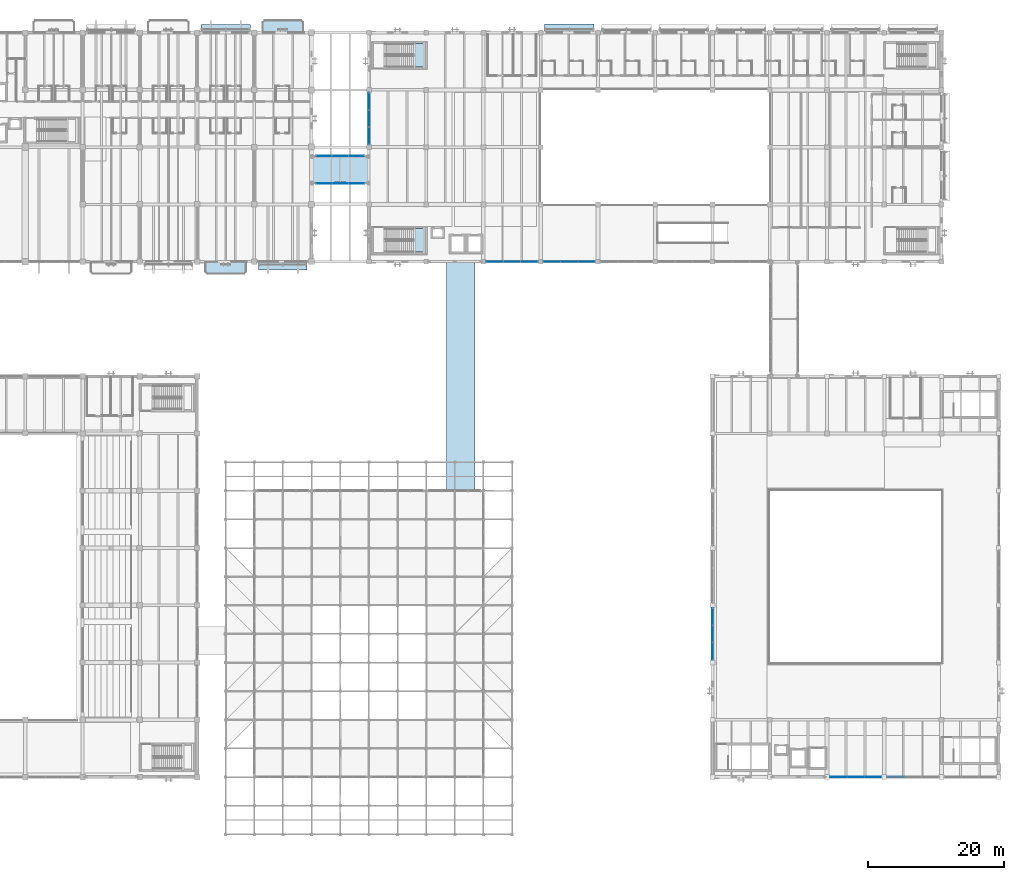
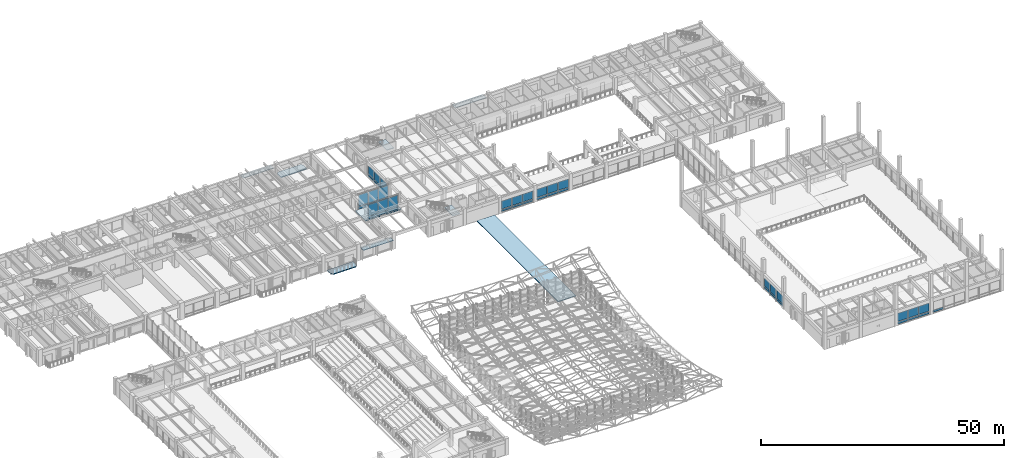
# One storey, part 67 of 132: 46 plates, 6 slabs, 13 elements without a shape of their own.
"""IFC4 building model written with IfcOpenShell, lengths in metres."""

from ifc_helpers import new_model, si_unit, direction, frame, origin, origin_2d, place, context, subcontext, project, spatial, polyline, rectangle, outline, extrude, material, layer, layer_set, type_object, element, aggregate, save


model = new_model("IFC4")

# Units and contexts
model_context = context("Model", 3, precision=1e-05, world=origin(), true_north=direction((0.0, 1.0)))
body_context = subcontext(model_context, "Body", "Model", "MODEL_VIEW")
ifc_project = project(units=[si_unit("LENGTHUNIT", "METRE"), si_unit("AREAUNIT", "SQUARE_METRE"), si_unit("VOLUMEUNIT", "CUBIC_METRE"), si_unit("PLANEANGLEUNIT", "RADIAN"), si_unit("MASSUNIT", "GRAM", prefix="KILO")], contexts=[model_context])

# Site, building, storey
site_placement = place(None, origin())
site = spatial("IfcSite", under=ifc_project, at=site_placement, CompositionType="ELEMENT")
building_placement = place(site_placement, origin())
building = spatial("IfcBuilding", under=site, at=building_placement, Name="Cumbredor Promenade Congress Hotel", CompositionType="ELEMENT")
storey_placement = place(building_placement, frame((0.0, 0.0, 7.56005859375)))
storey = spatial("IfcBuildingStorey", under=building, at=storey_placement, Name="L02", CompositionType="ELEMENT", Elevation=7.56005859375)

# Slabs
ifc_material_1 = material(Name="Concrete C40/50", Category="concrete")
ifc_layer_1 = layer(ifc_material_1, 0.215087890625, Name="Concrete C40/50", Category="concrete")
ifc_layer_set_1 = layer_set([ifc_layer_1], Name="Concrete C40/50")
slab_type_1 = type_object("IfcSlabType", Name="Cantilevered Guestroom Balcony Slab 215mm", PredefinedType="FLOOR", material=ifc_layer_set_1)
slab_1_placement = place(storey_placement, frame((0.0, 0.0, -0.215087890625)))
element("IfcSlab", 1, at=slab_1_placement, inside=storey, type_object=slab_type_1, Name="L02 Cantilevered Guestroom Veranda Balcony 008", PredefinedType="FLOOR", context=body_context, shape_type="SweptSolid", body=[
    extrude(outline(polyline([(76.75, 117.60009765625), (82.85009765625, 117.60009765625), (82.85009765625, 119.10009765625), (82.5, 119.449951171875), (77.10009765625, 119.449951171875), (76.75, 119.10009765625), (76.75, 117.60009765625)])), origin(), (0.0, 0.0, 1.0), 0.215087890625),
])
slab_2_placement = place(storey_placement, frame((0.0, 0.0, -0.215087890625)))
element("IfcSlab", 2, at=slab_2_placement, inside=storey, type_object=slab_type_1, Name="L02 Cantilevered Guestroom Veranda Balcony 011", PredefinedType="FLOOR", context=body_context, shape_type="SweptSolid", body=[
    extrude(outline(polyline([(68.699951171875, 82.14990234375), (74.10009765625, 82.14990234375), (74.449951171875, 82.5), (74.449951171875, 84.0), (68.35009765625, 84.0), (68.35009765625, 82.5), (68.699951171875, 82.14990234375)])), origin(), (0.0, 0.0, 1.0), 0.215087890625),
])

# Stair, slab
stair_type = type_object("IfcStairType", Name="Protected Dog-Leg Exit Stair ST-T3 1650mm", PredefinedType="HALF_TURN_STAIR", material=ifc_material_1)
stair_1_placement = place(storey_placement, origin())
stair_1 = element("IfcStair", 3, at=stair_1_placement, inside=storey, type_object=stair_type, Name="L02 Protected Exit Stair ST-13", PredefinedType="HALF_TURN_STAIR")
ifc_layer_2 = layer(ifc_material_1, 0.199951171875, Name="Concrete C40/50", Category="concrete")
ifc_layer_set_2 = layer_set([ifc_layer_2], Name="Concrete C40/50")
slab_type_2 = type_object("IfcSlabType", Name="Concrete Stair Landing Slab 200mm", PredefinedType="LANDING", material=ifc_layer_set_2)
slab_3_placement = place(storey_placement, frame((0.0, 0.0, 1.89990234375)))
slab_3 = element("IfcSlab", 4, at=slab_3_placement, type_object=slab_type_2, Name="ST-13 landing 1", PredefinedType="LANDING", context=body_context, shape_type="SweptSolid", body=[
    extrude(outline(polyline([(98.949951171875, 85.39990234375), (100.64990234375, 85.39990234375), (100.64990234375, 88.85009765625), (98.949951171875, 88.85009765625), (98.949951171875, 85.39990234375)])), origin(), (0.0, 0.0, 1.0), 0.199951171875),
])
aggregate(stair_1, [slab_3])

stair_2_placement = place(storey_placement, origin())
stair_2 = element("IfcStair", 5, at=stair_2_placement, inside=storey, type_object=stair_type, Name="L02 Protected Exit Stair ST-15", PredefinedType="HALF_TURN_STAIR")
slab_4_placement = place(storey_placement, frame((0.0, 0.0, 1.89990234375)))
slab_4 = element("IfcSlab", 6, at=slab_4_placement, type_object=slab_type_2, Name="ST-15 landing 1", PredefinedType="LANDING", context=body_context, shape_type="SweptSolid", body=[
    extrude(outline(polyline([(98.949951171875, 112.550048828125), (100.64990234375, 112.550048828125), (100.64990234375, 116.0), (98.949951171875, 116.0), (98.949951171875, 112.550048828125)])), origin(), (0.0, 0.0, 1.0), 0.199951171875),
])
aggregate(stair_2, [slab_4])

# Curtain wall, plates
ifc_material_2 = material(Name="Thermally broken anodized aluminium and low-E glass", Category="aluminium")
curtain_wall_type_1 = type_object("IfcCurtainWallType", Name="Unitised Bridge Glazing Screen CW-05", PredefinedType="NOTDEFINED", material=ifc_material_2)
curtain_wall_1_placement = place(storey_placement, origin())
curtain_wall_1 = element("IfcCurtainWall", 7, at=curtain_wall_1_placement, inside=storey, type_object=curtain_wall_type_1, Name="L02 North Hotel-to-Forum Glazed Bridge South Glazing Screen", PredefinedType="NOTDEFINED")
ifc_material_3 = material(Name="Laminated low-E solar-control glass", Category="glass")
ifc_layer_3 = layer(ifc_material_3, 0.030029296875, Name="Laminated low-E solar-control glass", Category="glass")
ifc_layer_set_3 = layer_set([ifc_layer_3], Name="Laminated low-E solar-control glass")
plate_type_1 = type_object("IfcPlateType", Name="Glazed Bridge Panel PNL-04", PredefinedType="CURTAIN_PANEL", material=ifc_layer_set_3)
plate_1_placement = place(storey_placement, frame((85.840087890625, 95.47998046875, 0.78515625), z_axis=(0.0, 0.0, 1.0), x_axis=(1.0, 0.0, 0.0)))
plate_1 = element("IfcPlate", 8, at=plate_1_placement, type_object=plate_type_1, Name="L02 North Hotel-to-Forum Glazed Bridge South Glazing Screen Glazing Panel 1.2", PredefinedType="CURTAIN_PANEL", context=body_context, shape_type="SweptSolid", body=[
    extrude(rectangle(XDim=2.294921875, YDim=0.030029296875, at=origin_2d()), origin(), (0.0, 0.0, 1.0), 2.909912109375),
])
plate_2_placement = place(storey_placement, frame((88.199951171875, 95.47998046875, 0.78515625), z_axis=(0.0, 0.0, 1.0), x_axis=(1.0, 0.0, 0.0)))
plate_2 = element("IfcPlate", 9, at=plate_2_placement, type_object=plate_type_1, Name="L02 North Hotel-to-Forum Glazed Bridge South Glazing Screen Glazing Panel 2.2", PredefinedType="CURTAIN_PANEL", context=body_context, shape_type="SweptSolid", body=[
    extrude(rectangle(XDim=2.294921875, YDim=0.030029296875, at=origin_2d()), origin(), (0.0, 0.0, 1.0), 2.909912109375),
])
plate_3_placement = place(storey_placement, frame((90.56005859375, 95.47998046875, 0.78515625), z_axis=(0.0, 0.0, 1.0), x_axis=(1.0, 0.0, 0.0)))
plate_3 = element("IfcPlate", 10, at=plate_3_placement, type_object=plate_type_1, Name="L02 North Hotel-to-Forum Glazed Bridge South Glazing Screen Glazing Panel 3.2", PredefinedType="CURTAIN_PANEL", context=body_context, shape_type="SweptSolid", body=[
    extrude(rectangle(XDim=2.294921875, YDim=0.030029296875, at=origin_2d()), origin(), (0.0, 0.0, 1.0), 2.909912109375),
])

curtain_wall_2_placement = place(storey_placement, origin())
curtain_wall_2 = element("IfcCurtainWall", 11, at=curtain_wall_2_placement, inside=storey, type_object=curtain_wall_type_1, Name="L02 North Hotel-to-Forum Glazed Bridge North Glazing Screen", PredefinedType="NOTDEFINED")
plate_4_placement = place(storey_placement, frame((85.840087890625, 99.52001953125, 0.78515625), z_axis=(0.0, 0.0, 1.0), x_axis=(1.0, 0.0, 0.0)))
plate_4 = element("IfcPlate", 12, at=plate_4_placement, type_object=plate_type_1, Name="L02 North Hotel-to-Forum Glazed Bridge North Glazing Screen Glazing Panel 1.2", PredefinedType="CURTAIN_PANEL", context=body_context, shape_type="SweptSolid", body=[
    extrude(rectangle(XDim=2.294921875, YDim=0.030029296875, at=origin_2d()), origin(), (0.0, 0.0, 1.0), 2.909912109375),
])
plate_5_placement = place(storey_placement, frame((88.199951171875, 99.52001953125, 0.78515625), z_axis=(0.0, 0.0, 1.0), x_axis=(1.0, 0.0, 0.0)))
plate_5 = element("IfcPlate", 13, at=plate_5_placement, type_object=plate_type_1, Name="L02 North Hotel-to-Forum Glazed Bridge North Glazing Screen Glazing Panel 2.2", PredefinedType="CURTAIN_PANEL", context=body_context, shape_type="SweptSolid", body=[
    extrude(rectangle(XDim=2.294921875, YDim=0.030029296875, at=origin_2d()), origin(), (0.0, 0.0, 1.0), 2.909912109375),
])
plate_6_placement = place(storey_placement, frame((90.56005859375, 99.52001953125, 0.78515625), z_axis=(0.0, 0.0, 1.0), x_axis=(1.0, 0.0, 0.0)))
plate_6 = element("IfcPlate", 14, at=plate_6_placement, type_object=plate_type_1, Name="L02 North Hotel-to-Forum Glazed Bridge North Glazing Screen Glazing Panel 3.2", PredefinedType="CURTAIN_PANEL", context=body_context, shape_type="SweptSolid", body=[
    extrude(rectangle(XDim=2.294921875, YDim=0.030029296875, at=origin_2d()), origin(), (0.0, 0.0, 1.0), 2.909912109375),
])

curtain_wall_type_2 = type_object("IfcCurtainWallType", Name="Unitised Bronze Curtain Wall CW-01", PredefinedType="NOTDEFINED", material=ifc_material_2)
curtain_wall_3_placement = place(storey_placement, origin())
curtain_wall_3 = element("IfcCurtainWall", 15, at=curtain_wall_3_placement, inside=storey, type_object=curtain_wall_type_2, Name="L02 Grand Ballroom Pavilion South Curtain Wall 3", PredefinedType="NOTDEFINED")
ifc_layer_4 = layer(ifc_material_3, 0.028076171875, Name="Laminated low-E solar-control glass", Category="glass")
ifc_layer_set_4 = layer_set([ifc_layer_4], Name="Laminated low-E solar-control glass")
plate_type_2 = type_object("IfcPlateType", Name="Glazed Vision Panel PNL-01", PredefinedType="CURTAIN_PANEL", material=ifc_layer_set_4)
plate_7_placement = place(storey_placement, frame((161.27001953125, 8.39990234375, 0.78466796875), z_axis=(0.0, 0.0, 1.0), x_axis=(1.0, 0.0, 0.0)))
plate_7 = element("IfcPlate", 16, at=plate_7_placement, type_object=plate_type_2, Name="L02 Grand Ballroom Pavilion South Curtain Wall 3 Glazing Panel 1.2", PredefinedType="CURTAIN_PANEL", context=body_context, shape_type="SweptSolid", body=[
    extrude(rectangle(XDim=2.465087890625, YDim=0.028076171875, at=origin_2d()), origin(), (0.0, 0.0, 1.0), 2.070068359375),
])
plate_8_placement = place(storey_placement, frame((163.800048828125, 8.39990234375, 0.78466796875), z_axis=(0.0, 0.0, 1.0), x_axis=(1.0, 0.0, 0.0)))
plate_8 = element("IfcPlate", 17, at=plate_8_placement, type_object=plate_type_2, Name="L02 Grand Ballroom Pavilion South Curtain Wall 3 Glazing Panel 2.2", PredefinedType="CURTAIN_PANEL", context=body_context, shape_type="SweptSolid", body=[
    extrude(rectangle(XDim=2.465087890625, YDim=0.028076171875, at=origin_2d()), origin(), (0.0, 0.0, 1.0), 2.070068359375),
])
plate_9_placement = place(storey_placement, frame((166.330078125, 8.39990234375, 0.78466796875), z_axis=(0.0, 0.0, 1.0), x_axis=(1.0, 0.0, 0.0)))
plate_9 = element("IfcPlate", 18, at=plate_9_placement, type_object=plate_type_2, Name="L02 Grand Ballroom Pavilion South Curtain Wall 3 Glazing Panel 3.2", PredefinedType="CURTAIN_PANEL", context=body_context, shape_type="SweptSolid", body=[
    extrude(rectangle(XDim=2.465087890625, YDim=0.028076171875, at=origin_2d()), origin(), (0.0, 0.0, 1.0), 2.070068359375),
])

curtain_wall_4_placement = place(storey_placement, origin())
curtain_wall_4 = element("IfcCurtainWall", 19, at=curtain_wall_4_placement, inside=storey, type_object=curtain_wall_type_2, Name="L02 Grand Ballroom Pavilion West Curtain Wall 3", PredefinedType="NOTDEFINED")
plate_10_placement = place(storey_placement, frame((142.800048828125, 26.8701171875, 0.784912109375), z_axis=(0.0, 0.0, 1.0), x_axis=(0.0, 1.0, 0.0)))
plate_10 = element("IfcPlate", 20, at=plate_10_placement, type_object=plate_type_2, Name="L02 Grand Ballroom Pavilion West Curtain Wall 3 Glazing Panel 1.2", PredefinedType="CURTAIN_PANEL", context=body_context, shape_type="SweptSolid", body=[
    extrude(rectangle(XDim=2.465087890625, YDim=0.028076171875, at=origin_2d()), origin(), (0.0, 0.0, 1.0), 2.02001953125),
])
plate_11_placement = place(storey_placement, frame((142.800048828125, 29.39990234375, 0.784912109375), z_axis=(0.0, 0.0, 1.0), x_axis=(0.0, 1.0, 0.0)))
plate_11 = element("IfcPlate", 21, at=plate_11_placement, type_object=plate_type_2, Name="L02 Grand Ballroom Pavilion West Curtain Wall 3 Glazing Panel 2.2", PredefinedType="CURTAIN_PANEL", context=body_context, shape_type="SweptSolid", body=[
    extrude(rectangle(XDim=2.465087890625, YDim=0.028076171875, at=origin_2d()), origin(), (0.0, 0.0, 1.0), 2.02001953125),
])
plate_12_placement = place(storey_placement, frame((142.800048828125, 31.929931640625, 0.784912109375), z_axis=(0.0, 0.0, 1.0), x_axis=(0.0, 1.0, 0.0)))
plate_12 = element("IfcPlate", 22, at=plate_12_placement, type_object=plate_type_2, Name="L02 Grand Ballroom Pavilion West Curtain Wall 3 Glazing Panel 3.2", PredefinedType="CURTAIN_PANEL", context=body_context, shape_type="SweptSolid", body=[
    extrude(rectangle(XDim=2.465087890625, YDim=0.028076171875, at=origin_2d()), origin(), (0.0, 0.0, 1.0), 2.02001953125),
])

curtain_wall_type_3 = type_object("IfcCurtainWallType", Name="Unitised Forum Curtain Wall CW-02", PredefinedType="NOTDEFINED", material=ifc_material_2)
curtain_wall_5_placement = place(storey_placement, origin())
curtain_wall_5 = element("IfcCurtainWall", 23, at=curtain_wall_5_placement, inside=storey, type_object=curtain_wall_type_3, Name="L02 Pre-Function and Breakout Meeting Forum South Curtain Wall 4", PredefinedType="NOTDEFINED")
plate_13_placement = place(storey_placement, frame((119.27001953125, 84.0, 0.78466796875), z_axis=(0.0, 0.0, 1.0), x_axis=(1.0, 0.0, 0.0)))
plate_13 = element("IfcPlate", 24, at=plate_13_placement, type_object=plate_type_2, Name="L02 Pre-Function and Breakout Meeting Forum South Curtain Wall 4 Glazing Panel 1.2", PredefinedType="CURTAIN_PANEL", context=body_context, shape_type="SweptSolid", body=[
    extrude(rectangle(XDim=2.465087890625, YDim=0.028076171875, at=origin_2d()), origin(), (0.0, 0.0, 1.0), 2.070068359375),
])
plate_14_placement = place(storey_placement, frame((121.800048828125, 84.0, 0.78466796875), z_axis=(0.0, 0.0, 1.0), x_axis=(1.0, 0.0, 0.0)))
plate_14 = element("IfcPlate", 25, at=plate_14_placement, type_object=plate_type_2, Name="L02 Pre-Function and Breakout Meeting Forum South Curtain Wall 4 Glazing Panel 2.2", PredefinedType="CURTAIN_PANEL", context=body_context, shape_type="SweptSolid", body=[
    extrude(rectangle(XDim=2.465087890625, YDim=0.028076171875, at=origin_2d()), origin(), (0.0, 0.0, 1.0), 2.070068359375),
])
plate_15_placement = place(storey_placement, frame((124.330078125, 84.0, 0.78466796875), z_axis=(0.0, 0.0, 1.0), x_axis=(1.0, 0.0, 0.0)))
plate_15 = element("IfcPlate", 26, at=plate_15_placement, type_object=plate_type_2, Name="L02 Pre-Function and Breakout Meeting Forum South Curtain Wall 4 Glazing Panel 3.2", PredefinedType="CURTAIN_PANEL", context=body_context, shape_type="SweptSolid", body=[
    extrude(rectangle(XDim=2.465087890625, YDim=0.028076171875, at=origin_2d()), origin(), (0.0, 0.0, 1.0), 2.070068359375),
])

curtain_wall_6_placement = place(storey_placement, origin())
curtain_wall_6 = element("IfcCurtainWall", 27, at=curtain_wall_6_placement, inside=storey, type_object=curtain_wall_type_3, Name="L02 Pre-Function and Breakout Meeting Forum West Curtain Wall 3", PredefinedType="NOTDEFINED")
ifc_layer_5 = layer(ifc_material_3, 0.031982421875, Name="Laminated low-E solar-control glass", Category="glass")
ifc_layer_set_5 = layer_set([ifc_layer_5], Name="Laminated low-E solar-control glass")
plate_type_3 = type_object("IfcPlateType", Name="Glazed Vision Panel PNL-02", PredefinedType="CURTAIN_PANEL", material=ifc_layer_set_5)
plate_16_placement = place(storey_placement, frame((92.39990234375, 102.469970703125, 0.794921875), z_axis=(0.0, 0.0, 1.0), x_axis=(0.0, 1.0, 0.0)))
plate_16 = element("IfcPlate", 28, at=plate_16_placement, type_object=plate_type_3, Name="L02 Pre-Function and Breakout Meeting Forum West Curtain Wall 3 Glazing Panel 1.2", PredefinedType="CURTAIN_PANEL", context=body_context, shape_type="SweptSolid", body=[
    extrude(rectangle(XDim=2.455078125, YDim=0.031982421875, at=origin_2d()), origin(), (0.0, 0.0, 1.0), 1.989990234375),
])
plate_17_placement = place(storey_placement, frame((92.39990234375, 105.0, 0.794921875), z_axis=(0.0, 0.0, 1.0), x_axis=(0.0, 1.0, 0.0)))
plate_17 = element("IfcPlate", 29, at=plate_17_placement, type_object=plate_type_3, Name="L02 Pre-Function and Breakout Meeting Forum West Curtain Wall 3 Glazing Panel 2.2", PredefinedType="CURTAIN_PANEL", context=body_context, shape_type="SweptSolid", body=[
    extrude(rectangle(XDim=2.455078125, YDim=0.031982421875, at=origin_2d()), origin(), (0.0, 0.0, 1.0), 1.989990234375),
])
plate_18_placement = place(storey_placement, frame((92.39990234375, 107.530029296875, 0.794921875), z_axis=(0.0, 0.0, 1.0), x_axis=(0.0, 1.0, 0.0)))
plate_18 = element("IfcPlate", 30, at=plate_18_placement, type_object=plate_type_3, Name="L02 Pre-Function and Breakout Meeting Forum West Curtain Wall 3 Glazing Panel 3.2", PredefinedType="CURTAIN_PANEL", context=body_context, shape_type="SweptSolid", body=[
    extrude(rectangle(XDim=2.455078125, YDim=0.031982421875, at=origin_2d()), origin(), (0.0, 0.0, 1.0), 1.989990234375),
])

curtain_wall_7_placement = place(storey_placement, origin())
curtain_wall_7 = element("IfcCurtainWall", 31, at=curtain_wall_7_placement, inside=storey, type_object=curtain_wall_type_3, Name="L02 Pre-Function and Breakout Meeting Forum South Curtain Wall 3", PredefinedType="NOTDEFINED")
ifc_layer_6 = layer(ifc_material_3, 0.028076171875, Name="Laminated low-E solar-control glass", Category="glass")
ifc_layer_set_6 = layer_set([ifc_layer_6], Name="Laminated low-E solar-control glass")
plate_type_4 = type_object("IfcPlateType", Name="Glazed Vision Panel PNL-03", PredefinedType="CURTAIN_PANEL", material=ifc_layer_set_6)
plate_19_placement = place(storey_placement, frame((110.8701171875, 84.0, 0.81005859375), z_axis=(0.0, 0.0, 1.0), x_axis=(1.0, 0.0, 0.0)))
plate_19 = element("IfcPlate", 32, at=plate_19_placement, type_object=plate_type_4, Name="L02 Pre-Function and Breakout Meeting Forum South Curtain Wall 3 Glazing Panel 1.2", PredefinedType="CURTAIN_PANEL", context=body_context, shape_type="SweptSolid", body=[
    extrude(rectangle(XDim=2.449951171875, YDim=0.028076171875, at=origin_2d()), origin(), (0.0, 0.0, 1.0), 2.0),
])
plate_20_placement = place(storey_placement, frame((113.39990234375, 84.0, 0.81005859375), z_axis=(0.0, 0.0, 1.0), x_axis=(1.0, 0.0, 0.0)))
plate_20 = element("IfcPlate", 33, at=plate_20_placement, type_object=plate_type_4, Name="L02 Pre-Function and Breakout Meeting Forum South Curtain Wall 3 Glazing Panel 2.2", PredefinedType="CURTAIN_PANEL", context=body_context, shape_type="SweptSolid", body=[
    extrude(rectangle(XDim=2.449951171875, YDim=0.028076171875, at=origin_2d()), origin(), (0.0, 0.0, 1.0), 2.0),
])
plate_21_placement = place(storey_placement, frame((115.929931640625, 84.0, 0.81005859375), z_axis=(0.0, 0.0, 1.0), x_axis=(1.0, 0.0, 0.0)))
plate_21 = element("IfcPlate", 34, at=plate_21_placement, type_object=plate_type_4, Name="L02 Pre-Function and Breakout Meeting Forum South Curtain Wall 3 Glazing Panel 3.2", PredefinedType="CURTAIN_PANEL", context=body_context, shape_type="SweptSolid", body=[
    extrude(rectangle(XDim=2.449951171875, YDim=0.028076171875, at=origin_2d()), origin(), (0.0, 0.0, 1.0), 2.0),
])

# Curtain wall, plate
curtain_wall_type_4 = type_object("IfcCurtainWallType", Name="Solar Brise-Soleil Screen Assembly CW-07", PredefinedType="NOTDEFINED", material=ifc_material_2)
curtain_wall_8_placement = place(storey_placement, origin())
curtain_wall_8 = element("IfcCurtainWall", 35, at=curtain_wall_8_placement, inside=storey, type_object=curtain_wall_type_4, Name="L02 Hospitality Brise-Soleil Screen 030", PredefinedType="NOTDEFINED")
ifc_material_4 = material(Name="Precast concrete C40/50", Category="concrete")
ifc_layer_7 = layer(ifc_material_4, 0.14501953125, Name="Precast concrete C40/50", Category="concrete")
ifc_layer_set_7 = layer_set([ifc_layer_7], Name="Precast concrete C40/50")
plate_type_5 = type_object("IfcPlateType", Name="Horizontal Precast Sun-Hood Eyebrow Plate 145mm", PredefinedType="USERDEFINED", material=ifc_layer_set_7)
plate_22_placement = place(storey_placement, frame((121.800048828125, 118.197509765625, 2.824951171875), z_axis=(0.0, 0.0, 1.0), x_axis=(1.0, 0.0, 0.0)))
plate_22 = element("IfcPlate", 36, at=plate_22_placement, type_object=plate_type_5, Name="L02 Horizontal Sun-Hood Eyebrow 030", ObjectType="SUN HOOD", PredefinedType="USERDEFINED", context=body_context, shape_type="SweptSolid", body=[
    extrude(rectangle(XDim=7.298095703125, YDim=1.35498046875, at=origin_2d()), origin(), (0.0, 0.0, 1.0), 0.14501953125),
])
aggregate(curtain_wall_8, [plate_22])

curtain_wall_9_placement = place(storey_placement, origin())
curtain_wall_9 = element("IfcCurtainWall", 37, at=curtain_wall_9_placement, inside=storey, type_object=curtain_wall_type_4, Name="L02 Hospitality Brise-Soleil Screen 042", PredefinedType="NOTDEFINED")
plate_23_placement = place(storey_placement, frame((79.77490234375, 83.419921875, 2.824951171875), z_axis=(0.0, 0.0, 1.0), x_axis=(1.0, 0.0, 0.0)))
plate_23 = element("IfcPlate", 38, at=plate_23_placement, type_object=plate_type_5, Name="L02 Horizontal Sun-Hood Eyebrow 042", ObjectType="SUN HOOD", PredefinedType="USERDEFINED", context=body_context, shape_type="SweptSolid", body=[
    extrude(rectangle(XDim=7.14794921875, YDim=1.320068359375, at=origin_2d()), origin(), (0.0, 0.0, 1.0), 0.14501953125),
])
aggregate(curtain_wall_9, [plate_23])

curtain_wall_10_placement = place(storey_placement, origin())
curtain_wall_10 = element("IfcCurtainWall", 39, at=curtain_wall_10_placement, inside=storey, type_object=curtain_wall_type_4, Name="L02 Hospitality Brise-Soleil Screen 046", PredefinedType="NOTDEFINED")
plate_24_placement = place(storey_placement, frame((71.39990234375, 118.172607421875, 2.824951171875), z_axis=(0.0, 0.0, 1.0), x_axis=(1.0, 0.0, 0.0)))
plate_24 = element("IfcPlate", 40, at=plate_24_placement, type_object=plate_type_5, Name="L02 Horizontal Sun-Hood Eyebrow 046", ObjectType="SUN HOOD", PredefinedType="USERDEFINED", context=body_context, shape_type="SweptSolid", body=[
    extrude(rectangle(XDim=7.197998046875, YDim=1.304931640625, at=origin_2d()), origin(), (0.0, 0.0, 1.0), 0.14501953125),
])
aggregate(curtain_wall_10, [plate_24])

# Plate
ifc_material_5 = material(Name="Thermally broken anodized aluminium", Category="aluminium")
ifc_layer_8 = layer(ifc_material_5, 0.0400390625, Name="Thermally broken anodized aluminium", Category="aluminium")
ifc_layer_set_8 = layer_set([ifc_layer_8], Name="Thermally broken anodized aluminium")
plate_type_6 = type_object("IfcPlateType", Name="Insulated Spandrel Panel PNL-05", PredefinedType="CURTAIN_PANEL", material=ifc_layer_set_8)
plate_25_placement = place(storey_placement, frame((161.27001953125, 8.39990234375, 0.125), z_axis=(0.0, 0.0, 1.0), x_axis=(1.0, 0.0, 0.0)))
plate_25 = element("IfcPlate", 41, at=plate_25_placement, type_object=plate_type_6, Name="L02 Grand Ballroom Pavilion South Curtain Wall 3 Spandrel Panel 1.1", PredefinedType="CURTAIN_PANEL", context=body_context, shape_type="SweptSolid", body=[
    extrude(rectangle(XDim=2.465087890625, YDim=0.0400390625, at=origin_2d()), origin(), (0.0, 0.0, 1.0), 0.530029296875),
])

plate_26_placement = place(storey_placement, frame((163.800048828125, 8.39990234375, 0.125), z_axis=(0.0, 0.0, 1.0), x_axis=(1.0, 0.0, 0.0)))
plate_26 = element("IfcPlate", 42, at=plate_26_placement, type_object=plate_type_6, Name="L02 Grand Ballroom Pavilion South Curtain Wall 3 Spandrel Panel 2.1", PredefinedType="CURTAIN_PANEL", context=body_context, shape_type="SweptSolid", body=[
    extrude(rectangle(XDim=2.465087890625, YDim=0.0400390625, at=origin_2d()), origin(), (0.0, 0.0, 1.0), 0.530029296875),
])

plate_27_placement = place(storey_placement, frame((166.330078125, 8.39990234375, 0.125), z_axis=(0.0, 0.0, 1.0), x_axis=(1.0, 0.0, 0.0)))
plate_27 = element("IfcPlate", 43, at=plate_27_placement, type_object=plate_type_6, Name="L02 Grand Ballroom Pavilion South Curtain Wall 3 Spandrel Panel 3.1", PredefinedType="CURTAIN_PANEL", context=body_context, shape_type="SweptSolid", body=[
    extrude(rectangle(XDim=2.465087890625, YDim=0.0400390625, at=origin_2d()), origin(), (0.0, 0.0, 1.0), 0.530029296875),
])

aggregate(curtain_wall_3, [plate_25, plate_7, plate_26, plate_8, plate_27, plate_9])

plate_28_placement = place(storey_placement, frame((119.27001953125, 84.0, 0.125), z_axis=(0.0, 0.0, 1.0), x_axis=(1.0, 0.0, 0.0)))
plate_28 = element("IfcPlate", 44, at=plate_28_placement, type_object=plate_type_6, Name="L02 Pre-Function and Breakout Meeting Forum South Curtain Wall 4 Spandrel Panel 1.1", PredefinedType="CURTAIN_PANEL", context=body_context, shape_type="SweptSolid", body=[
    extrude(rectangle(XDim=2.465087890625, YDim=0.0400390625, at=origin_2d()), origin(), (0.0, 0.0, 1.0), 0.530029296875),
])

plate_29_placement = place(storey_placement, frame((121.800048828125, 84.0, 0.125), z_axis=(0.0, 0.0, 1.0), x_axis=(1.0, 0.0, 0.0)))
plate_29 = element("IfcPlate", 45, at=plate_29_placement, type_object=plate_type_6, Name="L02 Pre-Function and Breakout Meeting Forum South Curtain Wall 4 Spandrel Panel 2.1", PredefinedType="CURTAIN_PANEL", context=body_context, shape_type="SweptSolid", body=[
    extrude(rectangle(XDim=2.465087890625, YDim=0.0400390625, at=origin_2d()), origin(), (0.0, 0.0, 1.0), 0.530029296875),
])

plate_30_placement = place(storey_placement, frame((124.330078125, 84.0, 0.125), z_axis=(0.0, 0.0, 1.0), x_axis=(1.0, 0.0, 0.0)))
plate_30 = element("IfcPlate", 46, at=plate_30_placement, type_object=plate_type_6, Name="L02 Pre-Function and Breakout Meeting Forum South Curtain Wall 4 Spandrel Panel 3.1", PredefinedType="CURTAIN_PANEL", context=body_context, shape_type="SweptSolid", body=[
    extrude(rectangle(XDim=2.465087890625, YDim=0.0400390625, at=origin_2d()), origin(), (0.0, 0.0, 1.0), 0.530029296875),
])

aggregate(curtain_wall_5, [plate_28, plate_13, plate_29, plate_14, plate_30, plate_15])

plate_31_placement = place(storey_placement, frame((92.39990234375, 102.469970703125, 0.14501953125), z_axis=(0.0, 0.0, 1.0), x_axis=(0.0, 1.0, 0.0)))
plate_31 = element("IfcPlate", 47, at=plate_31_placement, type_object=plate_type_6, Name="L02 Pre-Function and Breakout Meeting Forum West Curtain Wall 3 Spandrel Panel 1.1", PredefinedType="CURTAIN_PANEL", context=body_context, shape_type="SweptSolid", body=[
    extrude(rectangle(XDim=2.455078125, YDim=0.0400390625, at=origin_2d()), origin(), (0.0, 0.0, 1.0), 0.5),
])

plate_32_placement = place(storey_placement, frame((92.39990234375, 105.0, 0.14501953125), z_axis=(0.0, 0.0, 1.0), x_axis=(0.0, 1.0, 0.0)))
plate_32 = element("IfcPlate", 48, at=plate_32_placement, type_object=plate_type_6, Name="L02 Pre-Function and Breakout Meeting Forum West Curtain Wall 3 Spandrel Panel 2.1", PredefinedType="CURTAIN_PANEL", context=body_context, shape_type="SweptSolid", body=[
    extrude(rectangle(XDim=2.455078125, YDim=0.0400390625, at=origin_2d()), origin(), (0.0, 0.0, 1.0), 0.5),
])

plate_33_placement = place(storey_placement, frame((92.39990234375, 107.530029296875, 0.14501953125), z_axis=(0.0, 0.0, 1.0), x_axis=(0.0, 1.0, 0.0)))
plate_33 = element("IfcPlate", 49, at=plate_33_placement, type_object=plate_type_6, Name="L02 Pre-Function and Breakout Meeting Forum West Curtain Wall 3 Spandrel Panel 3.1", PredefinedType="CURTAIN_PANEL", context=body_context, shape_type="SweptSolid", body=[
    extrude(rectangle(XDim=2.455078125, YDim=0.0400390625, at=origin_2d()), origin(), (0.0, 0.0, 1.0), 0.5),
])

aggregate(curtain_wall_6, [plate_31, plate_16, plate_32, plate_17, plate_33, plate_18])

# Curtain wall, plate
curtain_wall_11_placement = place(storey_placement, origin())
curtain_wall_11 = element("IfcCurtainWall", 50, at=curtain_wall_11_placement, inside=storey, type_object=curtain_wall_type_2, Name="L02 Grand Ballroom Pavilion South Curtain Wall 4", PredefinedType="NOTDEFINED")
ifc_layer_9 = layer(ifc_material_5, 0.0400390625, Name="Thermally broken anodized aluminium", Category="aluminium")
ifc_layer_set_9 = layer_set([ifc_layer_9], Name="Thermally broken anodized aluminium")
plate_type_7 = type_object("IfcPlateType", Name="Insulated Spandrel Panel PNL-06", PredefinedType="CURTAIN_PANEL", material=ifc_layer_set_9)
plate_34_placement = place(storey_placement, frame((169.669921875, 8.39990234375, 0.14501953125), z_axis=(0.0, 0.0, 1.0), x_axis=(1.0, 0.0, 0.0)))
plate_34 = element("IfcPlate", 51, at=plate_34_placement, type_object=plate_type_7, Name="L02 Grand Ballroom Pavilion South Curtain Wall 4 Spandrel Panel 1.1", PredefinedType="CURTAIN_PANEL", context=body_context, shape_type="SweptSolid", body=[
    extrude(rectangle(XDim=2.455078125, YDim=0.0400390625, at=origin_2d()), origin(), (0.0, 0.0, 1.0), 0.5),
])
aggregate(curtain_wall_11, [plate_34])

# Plate
plate_35_placement = place(storey_placement, frame((142.800048828125, 26.8701171875, 0.125), z_axis=(0.0, 0.0, 1.0), x_axis=(0.0, 1.0, 0.0)))
plate_35 = element("IfcPlate", 52, at=plate_35_placement, type_object=plate_type_7, Name="L02 Grand Ballroom Pavilion West Curtain Wall 3 Spandrel Panel 1.1", PredefinedType="CURTAIN_PANEL", context=body_context, shape_type="SweptSolid", body=[
    extrude(rectangle(XDim=2.465087890625, YDim=0.0400390625, at=origin_2d()), origin(), (0.0, 0.0, 1.0), 0.530029296875),
])

plate_36_placement = place(storey_placement, frame((142.800048828125, 29.39990234375, 0.125), z_axis=(0.0, 0.0, 1.0), x_axis=(0.0, 1.0, 0.0)))
plate_36 = element("IfcPlate", 53, at=plate_36_placement, type_object=plate_type_7, Name="L02 Grand Ballroom Pavilion West Curtain Wall 3 Spandrel Panel 2.1", PredefinedType="CURTAIN_PANEL", context=body_context, shape_type="SweptSolid", body=[
    extrude(rectangle(XDim=2.465087890625, YDim=0.0400390625, at=origin_2d()), origin(), (0.0, 0.0, 1.0), 0.530029296875),
])

plate_37_placement = place(storey_placement, frame((142.800048828125, 31.929931640625, 0.125), z_axis=(0.0, 0.0, 1.0), x_axis=(0.0, 1.0, 0.0)))
plate_37 = element("IfcPlate", 54, at=plate_37_placement, type_object=plate_type_7, Name="L02 Grand Ballroom Pavilion West Curtain Wall 3 Spandrel Panel 3.1", PredefinedType="CURTAIN_PANEL", context=body_context, shape_type="SweptSolid", body=[
    extrude(rectangle(XDim=2.465087890625, YDim=0.0400390625, at=origin_2d()), origin(), (0.0, 0.0, 1.0), 0.530029296875),
])

aggregate(curtain_wall_4, [plate_35, plate_10, plate_36, plate_11, plate_37, plate_12])

plate_38_placement = place(storey_placement, frame((110.8701171875, 84.0, 0.18017578125), z_axis=(0.0, 0.0, 1.0), x_axis=(1.0, 0.0, 0.0)))
plate_38 = element("IfcPlate", 55, at=plate_38_placement, type_object=plate_type_7, Name="L02 Pre-Function and Breakout Meeting Forum South Curtain Wall 3 Spandrel Panel 1.1", PredefinedType="CURTAIN_PANEL", context=body_context, shape_type="SweptSolid", body=[
    extrude(rectangle(XDim=2.449951171875, YDim=0.0400390625, at=origin_2d()), origin(), (0.0, 0.0, 1.0), 0.449951171875),
])

plate_39_placement = place(storey_placement, frame((113.39990234375, 84.0, 0.18017578125), z_axis=(0.0, 0.0, 1.0), x_axis=(1.0, 0.0, 0.0)))
plate_39 = element("IfcPlate", 56, at=plate_39_placement, type_object=plate_type_7, Name="L02 Pre-Function and Breakout Meeting Forum South Curtain Wall 3 Spandrel Panel 2.1", PredefinedType="CURTAIN_PANEL", context=body_context, shape_type="SweptSolid", body=[
    extrude(rectangle(XDim=2.449951171875, YDim=0.0400390625, at=origin_2d()), origin(), (0.0, 0.0, 1.0), 0.449951171875),
])

plate_40_placement = place(storey_placement, frame((115.929931640625, 84.0, 0.18017578125), z_axis=(0.0, 0.0, 1.0), x_axis=(1.0, 0.0, 0.0)))
plate_40 = element("IfcPlate", 57, at=plate_40_placement, type_object=plate_type_7, Name="L02 Pre-Function and Breakout Meeting Forum South Curtain Wall 3 Spandrel Panel 3.1", PredefinedType="CURTAIN_PANEL", context=body_context, shape_type="SweptSolid", body=[
    extrude(rectangle(XDim=2.449951171875, YDim=0.0400390625, at=origin_2d()), origin(), (0.0, 0.0, 1.0), 0.449951171875),
])

aggregate(curtain_wall_7, [plate_38, plate_19, plate_39, plate_20, plate_40, plate_21])

plate_41_placement = place(storey_placement, frame((85.840087890625, 95.47998046875, 0.125), z_axis=(0.0, 0.0, 1.0), x_axis=(1.0, 0.0, 0.0)))
plate_41 = element("IfcPlate", 58, at=plate_41_placement, type_object=plate_type_7, Name="L02 North Hotel-to-Forum Glazed Bridge South Glazing Screen Spandrel Panel 1.1", PredefinedType="CURTAIN_PANEL", context=body_context, shape_type="SweptSolid", body=[
    extrude(rectangle(XDim=2.294921875, YDim=0.0400390625, at=origin_2d()), origin(), (0.0, 0.0, 1.0), 0.530029296875),
])

plate_42_placement = place(storey_placement, frame((88.199951171875, 95.47998046875, 0.125), z_axis=(0.0, 0.0, 1.0), x_axis=(1.0, 0.0, 0.0)))
plate_42 = element("IfcPlate", 59, at=plate_42_placement, type_object=plate_type_7, Name="L02 North Hotel-to-Forum Glazed Bridge South Glazing Screen Spandrel Panel 2.1", PredefinedType="CURTAIN_PANEL", context=body_context, shape_type="SweptSolid", body=[
    extrude(rectangle(XDim=2.294921875, YDim=0.0400390625, at=origin_2d()), origin(), (0.0, 0.0, 1.0), 0.530029296875),
])

plate_43_placement = place(storey_placement, frame((90.56005859375, 95.47998046875, 0.125), z_axis=(0.0, 0.0, 1.0), x_axis=(1.0, 0.0, 0.0)))
plate_43 = element("IfcPlate", 60, at=plate_43_placement, type_object=plate_type_7, Name="L02 North Hotel-to-Forum Glazed Bridge South Glazing Screen Spandrel Panel 3.1", PredefinedType="CURTAIN_PANEL", context=body_context, shape_type="SweptSolid", body=[
    extrude(rectangle(XDim=2.294921875, YDim=0.0400390625, at=origin_2d()), origin(), (0.0, 0.0, 1.0), 0.530029296875),
])

aggregate(curtain_wall_1, [plate_41, plate_1, plate_42, plate_2, plate_43, plate_3])

plate_44_placement = place(storey_placement, frame((85.840087890625, 99.52001953125, 0.125), z_axis=(0.0, 0.0, 1.0), x_axis=(1.0, 0.0, 0.0)))
plate_44 = element("IfcPlate", 61, at=plate_44_placement, type_object=plate_type_7, Name="L02 North Hotel-to-Forum Glazed Bridge North Glazing Screen Spandrel Panel 1.1", PredefinedType="CURTAIN_PANEL", context=body_context, shape_type="SweptSolid", body=[
    extrude(rectangle(XDim=2.294921875, YDim=0.0400390625, at=origin_2d()), origin(), (0.0, 0.0, 1.0), 0.530029296875),
])

plate_45_placement = place(storey_placement, frame((88.199951171875, 99.52001953125, 0.125), z_axis=(0.0, 0.0, 1.0), x_axis=(1.0, 0.0, 0.0)))
plate_45 = element("IfcPlate", 62, at=plate_45_placement, type_object=plate_type_7, Name="L02 North Hotel-to-Forum Glazed Bridge North Glazing Screen Spandrel Panel 2.1", PredefinedType="CURTAIN_PANEL", context=body_context, shape_type="SweptSolid", body=[
    extrude(rectangle(XDim=2.294921875, YDim=0.0400390625, at=origin_2d()), origin(), (0.0, 0.0, 1.0), 0.530029296875),
])

plate_46_placement = place(storey_placement, frame((90.56005859375, 99.52001953125, 0.125), z_axis=(0.0, 0.0, 1.0), x_axis=(1.0, 0.0, 0.0)))
plate_46 = element("IfcPlate", 63, at=plate_46_placement, type_object=plate_type_7, Name="L02 North Hotel-to-Forum Glazed Bridge North Glazing Screen Spandrel Panel 3.1", PredefinedType="CURTAIN_PANEL", context=body_context, shape_type="SweptSolid", body=[
    extrude(rectangle(XDim=2.294921875, YDim=0.0400390625, at=origin_2d()), origin(), (0.0, 0.0, 1.0), 0.530029296875),
])

aggregate(curtain_wall_2, [plate_44, plate_4, plate_45, plate_5, plate_46, plate_6])

# Slabs
ifc_layer_10 = layer(ifc_material_1, 0.1650390625, Name="Concrete C40/50", Category="concrete")
ifc_layer_set_10 = layer_set([ifc_layer_10], Name="Concrete C40/50")
slab_type_3 = type_object("IfcSlabType", Name="Link Bridge Canopy Roof Slab 165mm", PredefinedType="ROOF", material=ifc_layer_set_10)
slab_5_placement = place(storey_placement, frame((0.0, 0.0, -0.1650390625)))
element("IfcSlab", 64, at=slab_5_placement, inside=storey, type_object=slab_type_3, Name="Central Reflecting-Pool Promenade Bridge Canopy Roof Slab", PredefinedType="ROOF", context=body_context, shape_type="SweptSolid", body=[
    extrude(outline(polyline([(103.800048828125, 50.47998046875), (108.0, 50.47998046875), (108.0, 83.919921875), (103.800048828125, 83.919921875), (103.800048828125, 50.47998046875)])), origin(), (0.0, 0.0, 1.0), 0.1650390625),
])
ifc_layer_11 = layer(ifc_material_1, 0.219970703125, Name="Concrete C40/50", Category="concrete")
ifc_layer_set_11 = layer_set([ifc_layer_11], Name="Concrete C40/50")
slab_type_4 = type_object("IfcSlabType", Name="Link Bridge Deck Slab 220mm", PredefinedType="FLOOR", material=ifc_layer_set_11)
slab_6_placement = place(storey_placement, frame((0.0, 0.0, -0.219970703125)))
element("IfcSlab", 65, at=slab_6_placement, inside=storey, type_object=slab_type_4, Name="L02 North Hotel-to-Forum Glazed Bridge Floor Deck", PredefinedType="FLOOR", context=body_context, shape_type="SweptSolid", body=[
    extrude(outline(polyline([(84.0, 95.39990234375), (87.39990234375, 95.39990234375), (87.39990234375, 95.75), (89.0, 95.75), (89.0, 95.39990234375), (92.39990234375, 95.39990234375), (92.39990234375, 99.60009765625), (84.0, 99.60009765625), (84.0, 95.39990234375)])), origin(), (0.0, 0.0, 1.0), 0.219970703125),
])

save(model, "model.ifc")
